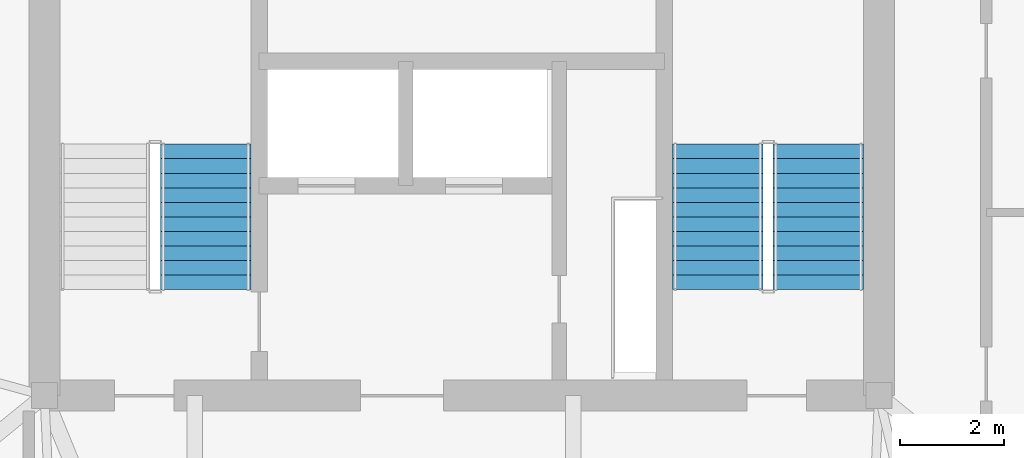
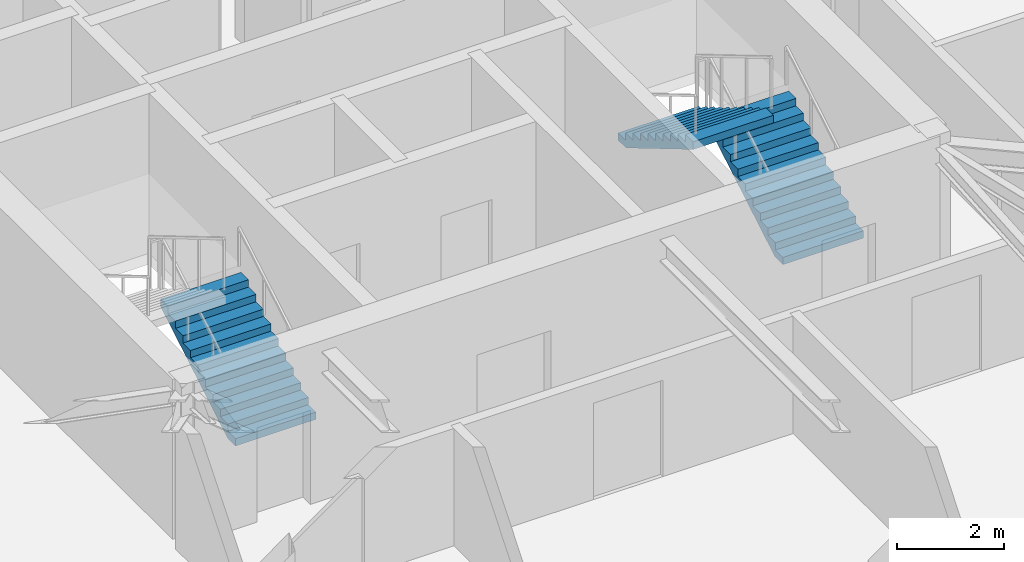
# One storey, part 8 of 9: 3 stair flights, 2 elements without a shape of their own.
"""IFC4 building model written with IfcOpenShell, lengths in metres."""

from ifc_helpers import new_model, si_unit, direction, frame, origin, place, context, subcontext, project, spatial, polyline, outline, extrude, material, type_object, element, aggregate, save


model = new_model("IFC4")

# Units and contexts
model_context = context("Model", 3, precision=1e-05, world=origin(), true_north=direction((0.0, 1.0)))
body_context = subcontext(model_context, "Body", "Model", "MODEL_VIEW")
ifc_project = project(units=[si_unit("LENGTHUNIT", "METRE"), si_unit("AREAUNIT", "SQUARE_METRE"), si_unit("VOLUMEUNIT", "CUBIC_METRE"), si_unit("PLANEANGLEUNIT", "RADIAN"), si_unit("MASSUNIT", "GRAM", prefix="KILO")], contexts=[model_context])

# Site, building, storey
site_placement = place(None, origin())
site = spatial("IfcSite", under=ifc_project, at=site_placement, CompositionType="ELEMENT")
building_placement = place(site_placement, origin())
building = spatial("IfcBuilding", under=site, at=building_placement, Name="Talyreon Biosciences Tower", CompositionType="ELEMENT")
storey_placement = place(building_placement, frame((0.0, 0.0, 298.39990234375)))
storey = spatial("IfcBuildingStorey", under=building, at=storey_placement, Name="L79", CompositionType="ELEMENT", Elevation=298.39990234375)

# Stair, stair flight
ifc_material = material(Name="Concrete C40/50", Category="concrete")
stair_type = type_object("IfcStairType", Name="DoglegEscapeStair_3650", PredefinedType="HALF_TURN_STAIR", material=ifc_material)
stair_1_placement = place(storey_placement, origin())
stair_1 = element("IfcStair", 1, at=stair_1_placement, inside=storey, type_object=stair_type, Name="L79 Core Escape Stair 1", PredefinedType="HALF_TURN_STAIR")
stair_flight_type = type_object("IfcStairFlightType", Name="PrecastStairFlight_3650", PredefinedType="STRAIGHT", material=ifc_material)
stair_flight_1_placement = place(storey_placement, frame((61.06005859375, 63.39990234375, 0.0), z_axis=(0.0, 0.0, 1.0), x_axis=(0.0, 1.0, 0.0)))
stair_flight_1 = element("IfcStairFlight", 2, at=stair_flight_1_placement, type_object=stair_flight_type, Name="ST-1 flight 1", NumberOfRisers=11, NumberOfTreads=10, PredefinedType="STRAIGHT", RiserHeight=0.165909091, TreadLength=0.28, context=body_context, shape_type="SweptSolid", body=[
    extrude(outline(polyline([(0.0, 0.0), (0.0, 0.166015625), (0.280029296875, 0.166015625), (0.280029296875, 0.331787109375), (0.56005859375, 0.331787109375), (0.56005859375, 0.497802734375), (0.840087890625, 0.497802734375), (0.840087890625, 0.66357421875), (1.1201171875, 0.66357421875), (1.1201171875, 0.82958984375), (1.39990234375, 0.82958984375), (1.39990234375, 0.995361328125), (1.679931640625, 0.995361328125), (1.679931640625, 1.161376953125), (1.9599609375, 1.161376953125), (1.9599609375, 1.327392578125), (2.239990234375, 1.327392578125), (2.239990234375, 1.4931640625), (2.52001953125, 1.4931640625), (2.52001953125, 1.6591796875), (2.800048828125, 1.6591796875), (2.800048828125, 1.824951171875), (2.800048828125, 1.48486328125), (0.2939453125, 0.0), (0.0, 0.0)])), frame((0.0, 0.8701171875, 0.0), z_axis=(0.0, -1.0, 0.0), x_axis=(1.0, 0.0, 0.0)), (0.0, 0.0, 1.0), 1.739990234375),
])
aggregate(stair_1, [stair_flight_1])

# Stair, stair flights
stair_2_placement = place(storey_placement, origin())
stair_2 = element("IfcStair", 3, at=stair_2_placement, inside=storey, type_object=stair_type, Name="L79 Core Escape Stair 2", PredefinedType="HALF_TURN_STAIR")
stair_flight_2_placement = place(storey_placement, frame((72.8798828125, 63.39990234375, 0.0), z_axis=(0.0, 0.0, 1.0), x_axis=(0.0, 1.0, 0.0)))
stair_flight_2 = element("IfcStairFlight", 4, at=stair_flight_2_placement, type_object=stair_flight_type, Name="ST-2 flight 1", NumberOfRisers=11, NumberOfTreads=10, PredefinedType="STRAIGHT", RiserHeight=0.165909091, TreadLength=0.28, context=body_context, shape_type="SweptSolid", body=[
    extrude(outline(polyline([(0.0, 0.0), (0.0, 0.166015625), (0.280029296875, 0.166015625), (0.280029296875, 0.331787109375), (0.56005859375, 0.331787109375), (0.56005859375, 0.497802734375), (0.840087890625, 0.497802734375), (0.840087890625, 0.66357421875), (1.1201171875, 0.66357421875), (1.1201171875, 0.82958984375), (1.39990234375, 0.82958984375), (1.39990234375, 0.995361328125), (1.679931640625, 0.995361328125), (1.679931640625, 1.161376953125), (1.9599609375, 1.161376953125), (1.9599609375, 1.327392578125), (2.239990234375, 1.327392578125), (2.239990234375, 1.4931640625), (2.52001953125, 1.4931640625), (2.52001953125, 1.6591796875), (2.800048828125, 1.6591796875), (2.800048828125, 1.824951171875), (2.800048828125, 1.48486328125), (0.2939453125, 0.0), (0.0, 0.0)])), frame((0.0, 0.8701171875, 0.0), z_axis=(0.0, -1.0, 0.0), x_axis=(1.0, 0.0, 0.0)), (0.0, 0.0, 1.0), 1.739990234375),
])
stair_flight_3_placement = place(storey_placement, frame((70.93994140625, 66.199951171875, 1.8251953125), z_axis=(0.0, 0.0, 1.0), x_axis=(0.0, -1.0, 0.0)))
stair_flight_3 = element("IfcStairFlight", 5, at=stair_flight_3_placement, type_object=stair_flight_type, Name="ST-2 flight 2", NumberOfRisers=11, NumberOfTreads=10, PredefinedType="STRAIGHT", RiserHeight=0.165909091, TreadLength=0.28, context=body_context, shape_type="SweptSolid", body=[
    extrude(outline(polyline([(0.0, 0.0), (0.0, 0.166015625), (0.280029296875, 0.166015625), (0.280029296875, 0.331787109375), (0.56005859375, 0.331787109375), (0.56005859375, 0.497802734375), (0.840087890625, 0.497802734375), (0.840087890625, 0.66357421875), (1.1201171875, 0.66357421875), (1.1201171875, 0.82958984375), (1.39990234375, 0.82958984375), (1.39990234375, 0.995361328125), (1.679931640625, 0.995361328125), (1.679931640625, 1.161376953125), (1.9599609375, 1.161376953125), (1.9599609375, 1.327392578125), (2.239990234375, 1.327392578125), (2.239990234375, 1.4931640625), (2.52001953125, 1.4931640625), (2.52001953125, 1.6591796875), (2.800048828125, 1.6591796875), (2.800048828125, 1.824951171875), (2.800048828125, 1.48486328125), (0.2939453125, 0.0), (0.0, 0.0)])), frame((0.0, 0.8701171875, 0.0), z_axis=(0.0, -1.0, 0.0), x_axis=(1.0, 0.0, 0.0)), (0.0, 0.0, 1.0), 1.739990234375),
])
aggregate(stair_2, [stair_flight_2, stair_flight_3])

save(model, "model.ifc")
